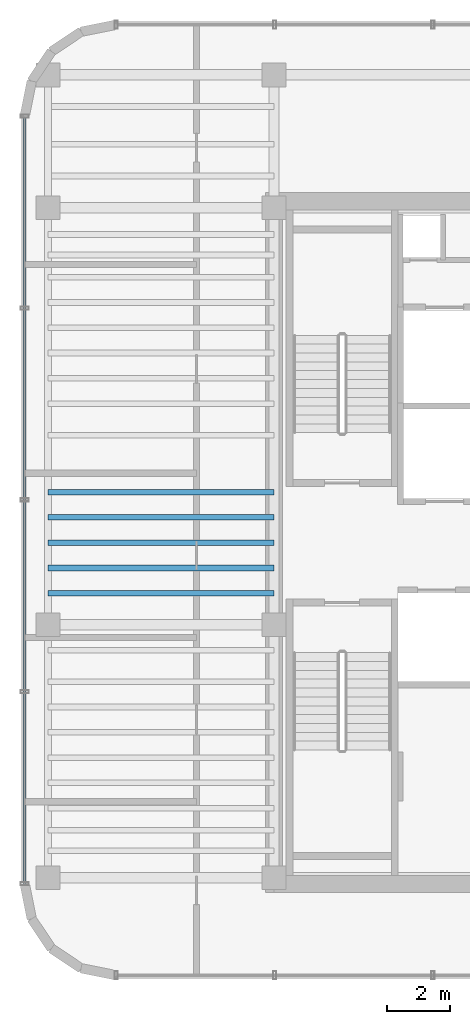
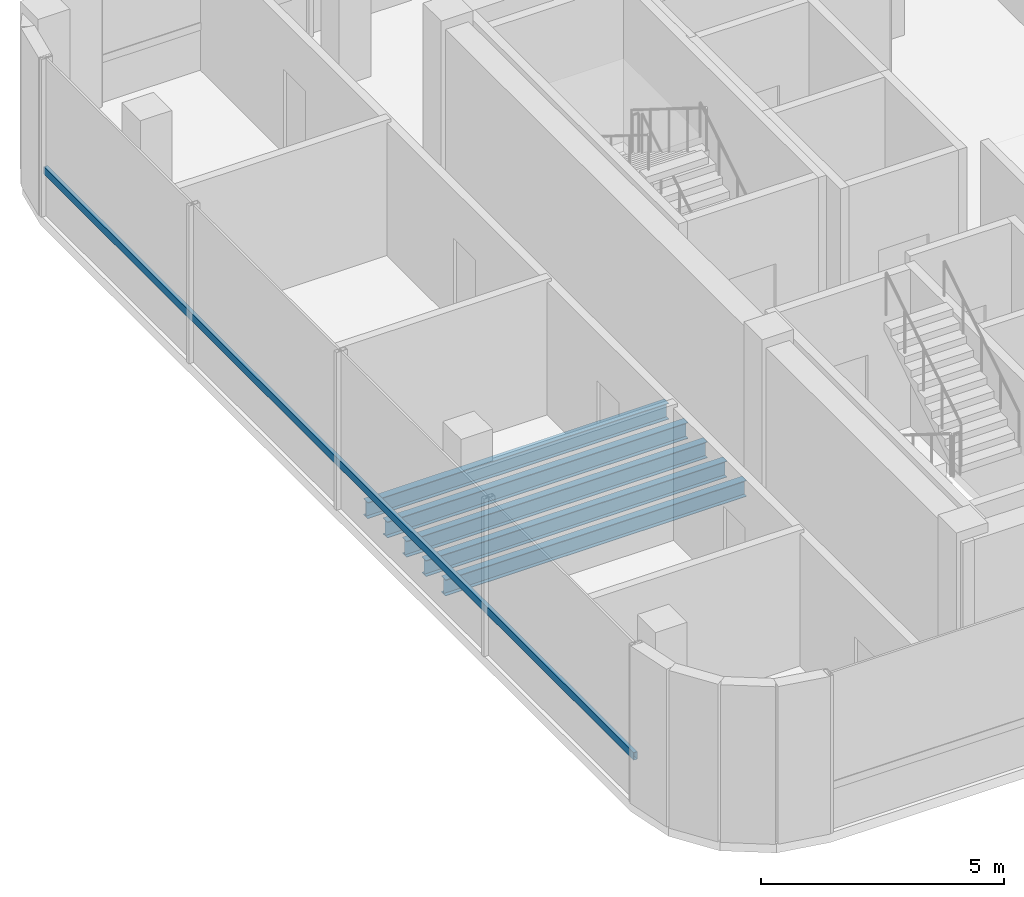
# One storey, part 4 of 11: 5 beams, 1 member, 1 element without a shape of its own.
"""IFC4 building model written with IfcOpenShell, lengths in metres."""

from ifc_helpers import new_model, si_unit, direction, frame, origin, origin_2d, place, context, subcontext, project, spatial, hollow_rectangle, i_section, extrude, source, transform, mapped, material, material_profile, profile_set, type_object, element, aggregate, save


model = new_model("IFC4")

# Units and contexts
model_context = context("Model", 3, precision=1e-05, world=origin(), true_north=direction((0.0, 1.0)))
body_context = subcontext(model_context, "Body", "Model", "MODEL_VIEW")
ifc_project = project(units=[si_unit("LENGTHUNIT", "METRE"), si_unit("AREAUNIT", "SQUARE_METRE"), si_unit("VOLUMEUNIT", "CUBIC_METRE"), si_unit("PLANEANGLEUNIT", "RADIAN"), si_unit("MASSUNIT", "GRAM", prefix="KILO")], contexts=[model_context])

# Site, building, storey
site_placement = place(None, origin())
site = spatial("IfcSite", under=ifc_project, at=site_placement, CompositionType="ELEMENT")
building_placement = place(site_placement, origin())
building = spatial("IfcBuilding", under=site, at=building_placement, Name="Valdorenza Pilgrim Sanctuary Tower", CompositionType="ELEMENT")
storey_placement = place(building_placement, frame((0.0, 0.0, 299.39990234375)))
storey = spatial("IfcBuildingStorey", under=building, at=storey_placement, Name="L78", CompositionType="ELEMENT", Elevation=299.39990234375)

# Beams
ifc_material_1 = material(Name="Steel ASTM A992 Grade 50", Category="steel")
ifc_material_profile_1 = material_profile(ifc_material_1, i_section(OverallWidth=0.177978515625, OverallDepth=0.406005859375, WebThickness=0.0078125, FlangeThickness=0.0126953125, at=origin_2d()), Name="W16X40")
ifc_profile_set_1 = profile_set([ifc_material_profile_1], Name="Steel ASTM A992 Grade 50")
beam_type = type_object("IfcBeamType", Name="STR-BM-JST-W16", PredefinedType="JOIST", material=ifc_profile_set_1)
shared_shape_1 = source(origin(), body_context, "Body", "SweptSolid", [
    extrude(i_section(OverallWidth=0.177978515625, OverallDepth=0.406005859375, WebThickness=0.0078125, FlangeThickness=0.0126953125, at=origin_2d()), origin(), (0.0, 0.0, 1.0), 7.150146484375),
])
for number, where, z_axis, x_axis, name in (
    (1, (-29.800048828125, -1.60009765625, -0.44287109375), (1.0, 0.0, 0.0), (0.0, 1.0, 0.0), "L78 Composite Floor Joist JST-WA-10"),
    (2, (-29.800048828125, -0.800048828125, -0.44287109375), (1.0, 0.0, 0.0), (0.0, 1.0, 0.0), "L78 Composite Floor Joist JST-WA-11"),
    (3, (-29.800048828125, 0.0, -0.44287109375), (1.0, 0.0, 0.0), (0.0, 1.0, 0.0), "L78 Composite Floor Joist JST-WA-12"),
    (4, (-29.800048828125, 0.800048828125, -0.44287109375), (1.0, 0.0, 0.0), (0.0, 1.0, 0.0), "L78 Composite Floor Joist JST-WA-13"),
    (5, (-29.800048828125, 1.60009765625, -0.44287109375), (1.0, 0.0, 0.0), (0.0, 1.0, 0.0), "L78 Composite Floor Joist JST-WA-14"),
):
    element("IfcBeam", number, at=place(storey_placement, frame(where, z_axis=z_axis, x_axis=x_axis)), inside=storey, type_object=beam_type, Name=name, PredefinedType="JOIST", context=body_context, shape_type="MappedRepresentation", body=[
        mapped(shared_shape_1, transform((0.0, 0.0, 0.0), x_axis=(1.0, 0.0, 0.0), y_axis=(0.0, 1.0, 0.0), z_axis=(0.0, 0.0, 1.0), scale=1.0)),
    ])

# Curtain wall, member
ifc_material_2 = material(Name="Curtain-wall IGU glazing", Category="glass")
curtain_wall_type = type_object("IfcCurtainWallType", Name="CW-SYS-06", PredefinedType="NOTDEFINED", material=ifc_material_2)
curtain_wall_placement = place(storey_placement, origin())
curtain_wall = element("IfcCurtainWall", 6, at=curtain_wall_placement, inside=storey, type_object=curtain_wall_type, Name="L78 Curtain Wall CW-L78-1-1", PredefinedType="NOTDEFINED")
ifc_material_3 = material(Name="Anodised aluminium AW-6060", Category="aluminium")
ifc_material_profile_2 = material_profile(ifc_material_3, hollow_rectangle(XDim=0.090087890625, YDim=0.18994140625, WallThickness=0.00439453125, at=origin_2d()), Name="ALU-T 190x90x4.5")
ifc_profile_set_2 = profile_set([ifc_material_profile_2], Name="Anodised aluminium AW-6060")
member_type = type_object("IfcMemberType", Name="CW-TRN-06", PredefinedType="USERDEFINED", material=ifc_profile_set_2)
shared_shape_2 = source(origin(), body_context, "Body", "SweptSolid", [
    extrude(hollow_rectangle(XDim=0.090087890625, YDim=0.18994140625, WallThickness=0.00439453125, at=origin_2d()), origin(), (0.0, 0.0, 1.0), 24.278564453125),
])
member_placement = place(storey_placement, frame((-30.5400390625, -10.789306640625, 1.1201171875), z_axis=(0.0, 1.0, 0.0), x_axis=(-1.0, 0.0, 0.0)))
member = element("IfcMember", 7, at=member_placement, type_object=member_type, Name="CW-L78-1-1 Transom 1", ObjectType="TRANSOM", PredefinedType="USERDEFINED", context=body_context, shape_type="MappedRepresentation", body=[
    mapped(shared_shape_2, transform((0.0, 0.0, 0.0), x_axis=(1.0, 0.0, 0.0), y_axis=(0.0, 1.0, 0.0), z_axis=(0.0, 0.0, 1.0), scale=1.0)),
])
aggregate(curtain_wall, [member])

save(model, "model.ifc")
